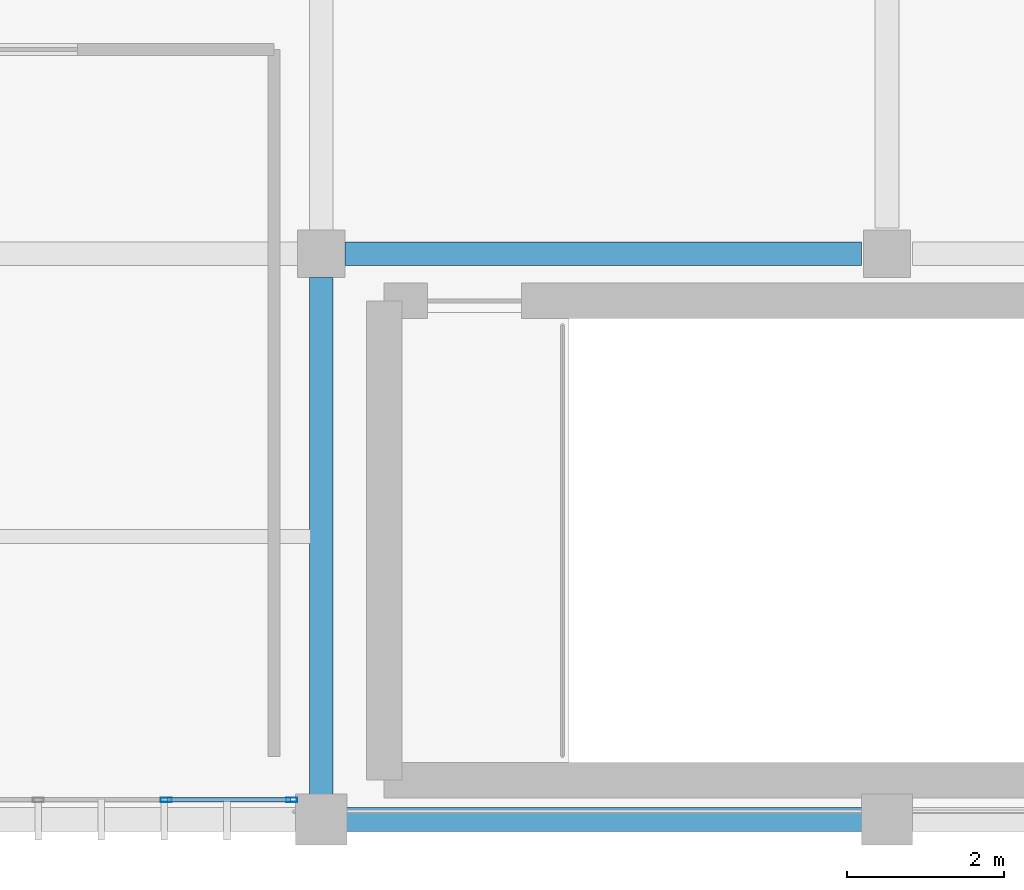
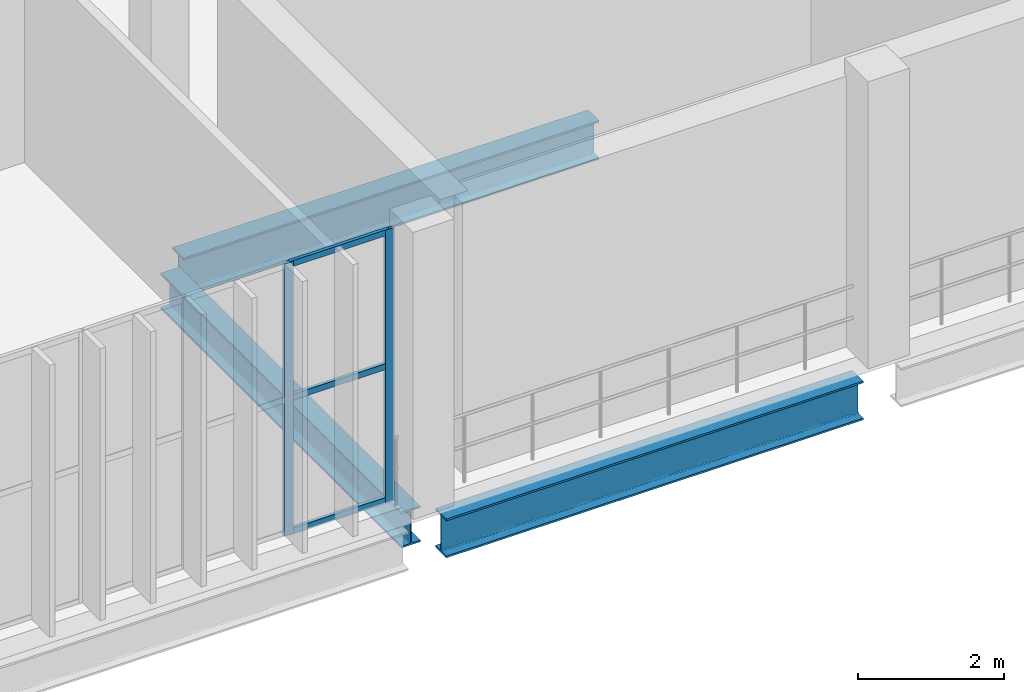
# One storey, part 11 of 105: 5 members, 3 beams, 1 element without a shape of its own.
"""IFC4 building model written with IfcOpenShell, lengths in metres."""

from ifc_helpers import new_model, si_unit, direction, frame, origin, origin_2d, place, context, subcontext, project, spatial, hollow_rectangle, i_section, extrude, material, material_profile, profile_set, type_object, element, aggregate, save


model = new_model("IFC4")

# Units and contexts
model_context = context("Model", 3, precision=1e-05, world=origin(), true_north=direction((0.0, 1.0)))
body_context = subcontext(model_context, "Body", "Model", "MODEL_VIEW")
ifc_project = project(units=[si_unit("LENGTHUNIT", "METRE"), si_unit("AREAUNIT", "SQUARE_METRE"), si_unit("VOLUMEUNIT", "CUBIC_METRE"), si_unit("PLANEANGLEUNIT", "RADIAN"), si_unit("MASSUNIT", "GRAM", prefix="KILO")], contexts=[model_context])

# Site, building, storey
site_placement = place(None, origin())
site = spatial("IfcSite", under=ifc_project, at=site_placement, CompositionType="ELEMENT")
building_placement = place(site_placement, origin())
building = spatial("IfcBuilding", under=site, at=building_placement, Name="Qandorah Velis Arena", CompositionType="ELEMENT")
storey_placement = place(building_placement, frame((0.0, 0.0, 13.800048828125)))
storey = spatial("IfcBuildingStorey", under=building, at=storey_placement, Name="L03", CompositionType="ELEMENT", Elevation=13.800048828125)

# Curtain wall, members
ifc_material_1 = material(Name="Solar-control low-E double glazing", Category="glass")
curtain_wall_type = type_object("IfcCurtainWallType", Name="ARC-CW-SYS20", PredefinedType="USERDEFINED", material=ifc_material_1)
curtain_wall_placement = place(storey_placement, origin())
curtain_wall = element("IfcCurtainWall", 1, at=curtain_wall_placement, inside=storey, type_object=curtain_wall_type, Name="Unitised curtain wall L03-068", ObjectType="UNITISED CURTAIN WALL", PredefinedType="USERDEFINED")
ifc_material_2 = material(Name="Champagne-bronze anodized aluminium 6063-T6", Category="aluminium")
ifc_material_profile_1 = material_profile(ifc_material_2, hollow_rectangle(XDim=0.054931640625, YDim=0.139892578125, WallThickness=0.0029296875, at=origin_2d()), Name="ALU MULLION 55x140")
ifc_profile_set_1 = profile_set([ifc_material_profile_1], Name="Champagne-bronze anodized aluminium 6063-T6")
member_type_1 = type_object("IfcMemberType", Name="ARC-CWM-140", PredefinedType="MULLION", material=ifc_profile_set_1)
member_1_placement = place(storey_placement, frame((48.425048828125, 0.25, -0.01513671875), z_axis=(0.0, 0.0, 1.0), x_axis=(0.0, 1.0, 0.0)))
member_1 = element("IfcMember", 2, at=member_1_placement, type_object=member_type_1, Name="CW20 mullion 4", PredefinedType="MULLION", context=body_context, shape_type="SweptSolid", body=[
    extrude(hollow_rectangle(XDim=0.054931640625, YDim=0.139892578125, WallThickness=0.0029296875, at=origin_2d()), origin(), (0.0, 0.0, 1.0), 4.56005859375),
])
member_2_placement = place(storey_placement, frame((50.0224609375, 0.25, -0.01513671875), z_axis=(0.0, 0.0, 1.0), x_axis=(0.0, 1.0, 0.0)))
member_2 = element("IfcMember", 3, at=member_2_placement, type_object=member_type_1, Name="CW20 mullion 5", PredefinedType="MULLION", context=body_context, shape_type="SweptSolid", body=[
    extrude(hollow_rectangle(XDim=0.054931640625, YDim=0.139892578125, WallThickness=0.0029296875, at=origin_2d()), origin(), (0.0, 0.0, 1.0), 4.56005859375),
])
ifc_material_profile_2 = material_profile(ifc_material_2, hollow_rectangle(XDim=0.054931640625, YDim=0.10009765625, WallThickness=0.0029296875, at=origin_2d()), Name="ALU TRANSOM 55x100")
ifc_profile_set_2 = profile_set([ifc_material_profile_2], Name="Champagne-bronze anodized aluminium 6063-T6")
member_type_2 = type_object("IfcMemberType", Name="ARC-CWT-100", PredefinedType="USERDEFINED", material=ifc_profile_set_2)
member_3_placement = place(storey_placement, frame((48.4404296875, 0.25, 0.02734375), z_axis=(1.0, 0.0, 0.0), x_axis=(0.0, 1.0, 0.0)))
member_3 = element("IfcMember", 4, at=member_3_placement, type_object=member_type_2, Name="CW20 transom 4.1", ObjectType="TRANSOM", PredefinedType="USERDEFINED", context=body_context, shape_type="SweptSolid", body=[
    extrude(hollow_rectangle(XDim=0.054931640625, YDim=0.10009765625, WallThickness=0.0029296875, at=origin_2d()), origin(), (0.0, 0.0, 1.0), 1.566650390625),
])
member_4_placement = place(storey_placement, frame((48.4404296875, 0.25, 2.264892578125), z_axis=(1.0, 0.0, 0.0), x_axis=(0.0, 1.0, 0.0)))
member_4 = element("IfcMember", 5, at=member_4_placement, type_object=member_type_2, Name="CW20 transom 4.2", ObjectType="TRANSOM", PredefinedType="USERDEFINED", context=body_context, shape_type="SweptSolid", body=[
    extrude(hollow_rectangle(XDim=0.054931640625, YDim=0.10009765625, WallThickness=0.0029296875, at=origin_2d()), origin(), (0.0, 0.0, 1.0), 1.566650390625),
])
member_5_placement = place(storey_placement, frame((48.4404296875, 0.25, 4.50244140625), z_axis=(1.0, 0.0, 0.0), x_axis=(0.0, 1.0, 0.0)))
member_5 = element("IfcMember", 6, at=member_5_placement, type_object=member_type_2, Name="CW20 transom 4.3", ObjectType="TRANSOM", PredefinedType="USERDEFINED", context=body_context, shape_type="SweptSolid", body=[
    extrude(hollow_rectangle(XDim=0.054931640625, YDim=0.10009765625, WallThickness=0.0029296875, at=origin_2d()), origin(), (0.0, 0.0, 1.0), 1.566650390625),
])
aggregate(curtain_wall, [member_1, member_2, member_3, member_4, member_5])

# Beams
ifc_material_3 = material(Name="Steel S355", Category="steel")
ifc_material_profile_3 = material_profile(ifc_material_3, i_section(OverallWidth=0.300048828125, OverallDepth=0.60009765625, WebThickness=0.015380859375, FlangeThickness=0.030029296875, FilletRadius=0.027099609375, at=origin_2d()), Name="HEB 600")
ifc_profile_set_3 = profile_set([ifc_material_profile_3], Name="Steel S355")
beam_type_1 = type_object("IfcBeamType", Name="STR-BM-HEB600", PredefinedType="BEAM", material=ifc_profile_set_3)
beam_1_placement = place(storey_placement, frame((50.39990234375, 0.300048828125, -0.6201171875), z_axis=(0.0, 1.0, 0.0), x_axis=(-1.0, 0.0, 0.0)))
element("IfcBeam", 7, at=beam_1_placement, inside=storey, type_object=beam_type_1, Name="Primary floor girder L03 Y-246", PredefinedType="BEAM", context=body_context, shape_type="SweptSolid", body=[
    extrude(i_section(OverallWidth=0.300048828125, OverallDepth=0.60009765625, WebThickness=0.015380859375, FlangeThickness=0.030029296875, FilletRadius=0.027099609375, at=origin_2d()), origin(), (0.0, 0.0, 1.0), 6.599853515625),
])
ifc_material_profile_4 = material_profile(ifc_material_3, i_section(OverallWidth=0.300048828125, OverallDepth=0.64990234375, WebThickness=0.01611328125, FlangeThickness=0.031005859375, FilletRadius=0.027099609375, at=origin_2d()), Name="HEB 650")
ifc_profile_set_4 = profile_set([ifc_material_profile_4], Name="Steel S355")
beam_type_2 = type_object("IfcBeamType", Name="STR-BM-HEB650", PredefinedType="BEAM", material=ifc_profile_set_4)
beam_2_placement = place(storey_placement, frame((50.699951171875, 0.0, -0.64501953125), z_axis=(1.0, 0.0, 0.0), x_axis=(0.0, 1.0, 0.0)))
element("IfcBeam", 8, at=beam_2_placement, inside=storey, type_object=beam_type_2, Name="Primary floor girder L03 X-004", PredefinedType="BEAM", context=body_context, shape_type="SweptSolid", body=[
    extrude(i_section(OverallWidth=0.300048828125, OverallDepth=0.64990234375, WebThickness=0.01611328125, FlangeThickness=0.031005859375, FilletRadius=0.027099609375, at=origin_2d()), origin(), (0.0, 0.0, 1.0), 6.60009765625),
])
beam_3_placement = place(storey_placement, frame((50.699951171875, 7.199951171875, -0.64501953125), z_axis=(1.0, 0.0, 0.0), x_axis=(0.0, 1.0, 0.0)))
element("IfcBeam", 9, at=beam_3_placement, inside=storey, type_object=beam_type_2, Name="Primary floor girder L03 X-016", PredefinedType="BEAM", context=body_context, shape_type="SweptSolid", body=[
    extrude(i_section(OverallWidth=0.300048828125, OverallDepth=0.64990234375, WebThickness=0.01611328125, FlangeThickness=0.031005859375, FilletRadius=0.027099609375, at=origin_2d()), origin(), (0.0, 0.0, 1.0), 6.574951171875),
])

save(model, "model.ifc")
